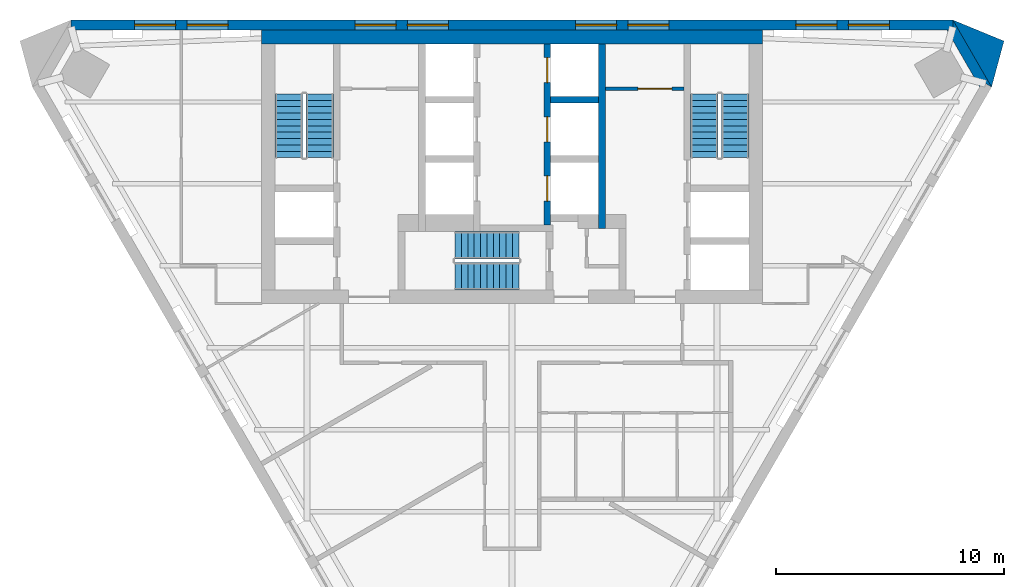
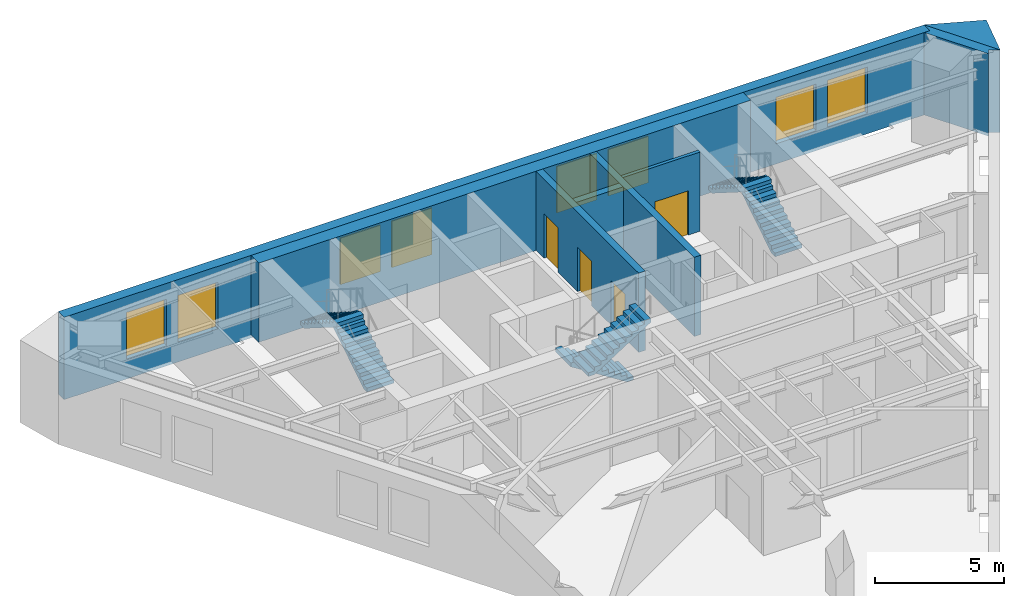
# One storey, part 5 of 7: 8 walls, 8 windows, 6 stair flights, 4 doors, 12 openings, 3 elements without a shape of their own.
"""IFC4 building model written with IfcOpenShell, lengths in metres."""

from ifc_helpers import new_model, si_unit, direction, frame, frame_2d, origin, place, context, subcontext, project, spatial, polyline, rectangle, outline, extrude, material, layer, layer_set, type_object, element, fill, aggregate, save


model = new_model("IFC4")

# Units and contexts
model_context = context("Model", 3, precision=1e-05, world=origin(), true_north=direction((0.0, 1.0)))
body_context = subcontext(model_context, "Body", "Model", "MODEL_VIEW")
ifc_project = project(units=[si_unit("LENGTHUNIT", "METRE"), si_unit("AREAUNIT", "SQUARE_METRE"), si_unit("VOLUMEUNIT", "CUBIC_METRE"), si_unit("PLANEANGLEUNIT", "RADIAN"), si_unit("MASSUNIT", "GRAM", prefix="KILO")], contexts=[model_context])

# Site, building, storey
site_placement = place(None, origin())
site = spatial("IfcSite", under=ifc_project, at=site_placement, CompositionType="ELEMENT")
building_placement = place(site_placement, origin())
building = spatial("IfcBuilding", under=site, at=building_placement, Name="Aloe Facet Convention Tower", CompositionType="ELEMENT")
storey_placement = place(building_placement, frame((0.0, 0.0, 207.5)))
storey = spatial("IfcBuildingStorey", under=building, at=storey_placement, Name="L52", CompositionType="ELEMENT", Elevation=207.5)

# Wall, opening, door
ifc_material_1 = material(Name="Concrete blockwork partition", Category="masonry")
ifc_layer_1 = layer(ifc_material_1, 0.14990234375)
ifc_layer_set_1 = layer_set([ifc_layer_1], Name="CR-W-PART150")
wall_type_1 = type_object("IfcWallType", Name="CR-W-PART150", PredefinedType="PARTITIONING", material=ifc_layer_set_1)
wall_1_placement = place(storey_placement, frame((84.10009765625, 131.97509765625, 0.0), z_axis=(0.0, 0.0, 1.0), x_axis=(1.0, 0.0, 0.0)))
wall_1 = element("IfcWall", 1, at=wall_1_placement, inside=storey, type_object=wall_type_1, Name="Core partition L52-025", PredefinedType="PARTITIONING", context=body_context, shape_type="SweptSolid", body=[
    extrude(rectangle(XDim=3.449951171875, YDim=0.14990234375, at=frame_2d((1.72509765625, 0.0))), origin(), (0.0, 0.0, 1.0), 3.75),
])
opening_1_placement = place(wall_1_placement, frame((1.425048828125, 0.0, 0.0)))
opening_1 = element("IfcOpeningElement", 2, at=opening_1_placement, cuts=wall_1, Name="Opening L52-CD13", PredefinedType="OPENING", context=body_context, shape_type="SweptSolid", body=[
    extrude(rectangle(XDim=1.5, YDim=2.10009765625, at=frame_2d((0.75, 1.050048828125))), frame((0.0, 0.0849609375, 0.0), z_axis=(0.0, -1.0, 0.0), x_axis=(1.0, 0.0, 0.0)), (0.0, 0.0, 1.0), 0.169921875),
])
ifc_material_2 = material(Name="Steel fire-resisting door set FD60", Category="steel")
door_type_1 = type_object("IfcDoorType", Name="CR-D-REFUGE-1500-FD60-DD", OperationType="DOUBLE_DOOR_DOUBLE_SWING", PredefinedType="DOOR", material=ifc_material_2)
door_1_placement = place(opening_1_placement, origin())
door_1 = element("IfcDoor", 3, at=door_1_placement, inside=storey, type_object=door_type_1, Name="Core door L52-CD13", OperationType="DOUBLE_DOOR_DOUBLE_SWING", OverallHeight=2.10009765625, OverallWidth=1.5, PredefinedType="DOOR", context=body_context, shape_type="SweptSolid", body=[
    extrude(rectangle(XDim=1.5, YDim=2.10009765625, at=frame_2d((0.75, 1.050048828125))), frame((0.0, 0.02490234375, 0.0), z_axis=(0.0, -1.0, 0.0), x_axis=(1.0, 0.0, 0.0)), (0.0, 0.0, 1.0), 0.050048828125),
])
fill(opening_1, door_1)

# Wall, openings, doors
ifc_material_3 = material(Name="Concrete C50/60", Category="concrete")
ifc_layer_2 = layer(ifc_material_3, 0.300048828125)
ifc_layer_set_2 = layer_set([ifc_layer_2], Name="CR-W-RC300-C5060")
wall_type_2 = type_object("IfcWallType", Name="CR-W-RC300-C5060", PredefinedType="SOLIDWALL", material=ifc_layer_set_2)
wall_2_placement = place(storey_placement, frame((81.550048828125, 133.949951171875, 0.0), z_axis=(0.0, 0.0, 1.0), x_axis=(0.0, -1.0, 0.0)))
wall_2 = element("IfcWall", 4, at=wall_2_placement, inside=storey, type_object=wall_type_2, Name="Core wall L52-016", PredefinedType="SOLIDWALL", context=body_context, shape_type="SweptSolid", body=[
    extrude(rectangle(XDim=7.949951171875, YDim=0.300048828125, at=frame_2d((3.97509765625, 0.0))), origin(), (0.0, 0.0, 1.0), 3.75),
])
opening_2_placement = place(wall_2_placement, frame((0.60009765625, 0.0, 0.0)))
opening_2 = element("IfcOpeningElement", 5, at=opening_2_placement, cuts=wall_2, Name="Opening LD-B4-L52", PredefinedType="OPENING", context=body_context, shape_type="SweptSolid", body=[
    extrude(rectangle(XDim=1.10009765625, YDim=2.10009765625, at=frame_2d((0.550048828125, 1.050048828125))), frame((0.0, 0.16015625, 0.0), z_axis=(0.0, -1.0, 0.0), x_axis=(1.0, 0.0, 0.0)), (0.0, 0.0, 1.0), 0.320068359375),
])
opening_3_placement = place(wall_2_placement, frame((3.199951171875, 0.0, 0.0)))
opening_3 = element("IfcOpeningElement", 6, at=opening_3_placement, cuts=wall_2, Name="Opening LD-B5-L52", PredefinedType="OPENING", context=body_context, shape_type="SweptSolid", body=[
    extrude(rectangle(XDim=1.10009765625, YDim=2.10009765625, at=frame_2d((0.550048828125, 1.050048828125))), frame((0.0, 0.16015625, 0.0), z_axis=(0.0, -1.0, 0.0), x_axis=(1.0, 0.0, 0.0)), (0.0, 0.0, 1.0), 0.320068359375),
])
opening_4_placement = place(wall_2_placement, frame((5.800048828125, 0.0, 0.0)))
opening_4 = element("IfcOpeningElement", 7, at=opening_4_placement, cuts=wall_2, Name="Opening LD-B6-L52", PredefinedType="OPENING", context=body_context, shape_type="SweptSolid", body=[
    extrude(rectangle(XDim=1.10009765625, YDim=2.10009765625, at=frame_2d((0.550048828125, 1.050048828125))), frame((0.0, 0.16015625, 0.0), z_axis=(0.0, -1.0, 0.0), x_axis=(1.0, 0.0, 0.0)), (0.0, 0.0, 1.0), 0.320068359375),
])
ifc_material_4 = material(Name="Stainless steel sliding landing door", Category="steel")
door_type_2 = type_object("IfcDoorType", Name="CR-LD-1100-FD60-_LEFT", OperationType="SLIDING_TO_LEFT", PredefinedType="DOOR", material=ifc_material_4)
door_2_placement = place(opening_2_placement, origin())
door_2 = element("IfcDoor", 8, at=door_2_placement, inside=storey, type_object=door_type_2, Name="Landing door B4 L52", OperationType="SLIDING_TO_LEFT", OverallHeight=2.10009765625, OverallWidth=1.10009765625, PredefinedType="DOOR", context=body_context, shape_type="SweptSolid", body=[
    extrude(rectangle(XDim=1.10009765625, YDim=2.10009765625, at=frame_2d((0.550048828125, 1.050048828125))), frame((0.0, 0.02490234375, 0.0), z_axis=(0.0, -1.0, 0.0), x_axis=(1.0, 0.0, 0.0)), (0.0, 0.0, 1.0), 0.050048828125),
])
fill(opening_2, door_2)
door_3_placement = place(opening_3_placement, origin())
door_3 = element("IfcDoor", 9, at=door_3_placement, inside=storey, type_object=door_type_2, Name="Landing door B5 L52", OperationType="SLIDING_TO_LEFT", OverallHeight=2.10009765625, OverallWidth=1.10009765625, PredefinedType="DOOR", context=body_context, shape_type="SweptSolid", body=[
    extrude(rectangle(XDim=1.10009765625, YDim=2.10009765625, at=frame_2d((0.550048828125, 1.050048828125))), frame((0.0, 0.02490234375, 0.0), z_axis=(0.0, -1.0, 0.0), x_axis=(1.0, 0.0, 0.0)), (0.0, 0.0, 1.0), 0.050048828125),
])
fill(opening_3, door_3)
door_4_placement = place(opening_4_placement, origin())
door_4 = element("IfcDoor", 10, at=door_4_placement, inside=storey, type_object=door_type_2, Name="Landing door B6 L52", OperationType="SLIDING_TO_LEFT", OverallHeight=2.10009765625, OverallWidth=1.10009765625, PredefinedType="DOOR", context=body_context, shape_type="SweptSolid", body=[
    extrude(rectangle(XDim=1.10009765625, YDim=2.10009765625, at=frame_2d((0.550048828125, 1.050048828125))), frame((0.0, 0.02490234375, 0.0), z_axis=(0.0, -1.0, 0.0), x_axis=(1.0, 0.0, 0.0)), (0.0, 0.0, 1.0), 0.050048828125),
])
fill(opening_4, door_4)

# Walls
wall_3_placement = place(storey_placement, frame((81.699951171875, 131.5, 0.0), z_axis=(0.0, 0.0, 1.0), x_axis=(1.0, 0.0, 0.0)))
element("IfcWall", 11, at=wall_3_placement, inside=storey, type_object=wall_type_2, Name="Core wall L52-018", PredefinedType="SOLIDWALL", context=body_context, shape_type="SweptSolid", body=[
    extrude(rectangle(XDim=2.10009765625, YDim=0.300048828125, at=frame_2d((1.050048828125, 0.0))), origin(), (0.0, 0.0, 1.0), 3.75),
])
wall_4_placement = place(storey_placement, frame((83.949951171875, 133.949951171875, 0.0), z_axis=(0.0, 0.0, 1.0), x_axis=(0.0, -1.0, 0.0)))
element("IfcWall", 12, at=wall_4_placement, inside=storey, type_object=wall_type_2, Name="Core wall L52-024", PredefinedType="SOLIDWALL", context=body_context, shape_type="SweptSolid", body=[
    extrude(rectangle(XDim=8.099853515625, YDim=0.300048828125, at=frame_2d((4.0498046875, 0.0))), origin(), (0.0, 0.0, 1.0), 3.75),
])
ifc_material_5 = material(Name="Concrete C50/60", Category="concrete")
ifc_layer_3 = layer(ifc_material_5, 0.60009765625)
ifc_layer_set_3 = layer_set([ifc_layer_3], Name="CR-W-RC600-C5060")
wall_type_3 = type_object("IfcWallType", Name="CR-W-RC600-C5060", PredefinedType="SOLIDWALL", material=ifc_layer_set_3)
wall_5_placement = place(storey_placement, frame((69.0, 134.25, 0.0), z_axis=(0.0, 0.0, 1.0), x_axis=(1.0, 0.0, 0.0)))
element("IfcWall", 13, at=wall_5_placement, inside=storey, type_object=wall_type_3, Name="Core wall L52-001", PredefinedType="SOLIDWALL", context=body_context, shape_type="SweptSolid", body=[
    extrude(rectangle(XDim=22.0, YDim=0.60009765625, at=frame_2d((11.0, 0.0))), origin(), (0.0, 0.0, 1.0), 3.75),
])
ifc_material_6 = material(Name="Precast concrete C40/50", Category="concrete")
ifc_layer_4 = layer(ifc_material_6, 0.449951171875)
ifc_layer_set_4 = layer_set([ifc_layer_4], Name="EV-WALL-PIER")
wall_type_4 = type_object("IfcWallType", Name="EV-WALL-PIER", PredefinedType="SOLIDWALL", material=ifc_layer_set_4)
wall_6_placement = place(storey_placement, frame((0.0, 0.0, -0.14990234375)))
element("IfcWall", 14, at=wall_6_placement, inside=storey, type_object=wall_type_4, Name="EP-L52-C", PredefinedType="SOLIDWALL", context=body_context, shape_type="SweptSolid", body=[
    extrude(outline(polyline([(101.064697265625, 132.055419921875), (100.6748046875, 132.280517578125), (100.544921875, 132.055419921875), (99.104736328125, 134.550048828125), (99.364501953125, 134.550048828125), (99.364501953125, 135.0), (101.064697265625, 132.055419921875)])), origin(), (0.0, 0.0, 1.0), 3.89990234375),
])
ifc_material_7 = material(Name="Precast concrete C40/50", Category="concrete")
ifc_layer_5 = layer(ifc_material_7, 3.947998046875)
ifc_layer_set_5 = layer_set([ifc_layer_5], Name="EV-WALL-SPINE")
wall_type_5 = type_object("IfcWallType", Name="EV-WALL-SPINE", PredefinedType="SOLIDWALL", material=ifc_layer_set_5)
wall_7_placement = place(storey_placement, frame((0.0, 0.0, -0.14990234375)))
element("IfcWall", 15, at=wall_7_placement, inside=storey, type_object=wall_type_5, Name="SP-NE-L52", PredefinedType="SOLIDWALL", context=body_context, shape_type="SweptSolid", body=[
    extrude(outline(polyline([(101.064697265625, 132.055419921875), (101.610107421875, 134.076171875), (99.364501953125, 135.0), (101.064697265625, 132.055419921875)])), origin(), (0.0, 0.0, 1.0), 3.89990234375),
])

# Wall, openings, windows
ifc_material_8 = material(Name="Precast concrete C40/50", Category="concrete")
ifc_layer_6 = layer(ifc_material_8, 0.449951171875)
ifc_layer_set_6 = layer_set([ifc_layer_6], Name="EV-WALL-STONE")
wall_type_6 = type_object("IfcWallType", Name="EV-WALL-STONE", PredefinedType="SOLIDWALL", material=ifc_layer_set_6)
wall_8_placement = place(storey_placement, frame((99.364501953125, 134.77490234375, -0.14990234375), z_axis=(0.0, 0.0, 1.0), x_axis=(-1.0, 0.0, 0.0)))
wall_8 = element("IfcWall", 16, at=wall_8_placement, inside=storey, type_object=wall_type_6, Name="EW-L52-N01", PredefinedType="SOLIDWALL", context=body_context, shape_type="SweptSolid", body=[
    extrude(outline(polyline([(38.729248046875, 0.0), (38.729248046875, 3.89990234375), (0.0, 3.89990234375), (0.0, 0.0), (38.729248046875, 0.0)])), frame((0.0, 0.22509765625, 0.0), z_axis=(0.0, -1.0, 0.0), x_axis=(1.0, 0.0, 0.0)), (0.0, 0.0, 1.0), 0.449951171875),
])
opening_5_placement = place(wall_8_placement, frame((2.791259765625, 0.0, 0.949951171875)))
opening_5 = element("IfcOpeningElement", 17, at=opening_5_placement, cuts=wall_8, Name="Opening W-L52-N01", PredefinedType="OPENING", context=body_context, shape_type="SweptSolid", body=[
    extrude(rectangle(XDim=1.800048828125, YDim=2.199951171875, at=frame_2d((0.89990234375, 1.10009765625))), frame((0.0, 0.23486328125, 0.0), z_axis=(0.0, -1.0, 0.0), x_axis=(1.0, 0.0, 0.0)), (0.0, 0.0, 1.0), 0.469970703125),
])
opening_6_placement = place(wall_8_placement, frame((5.091064453125, 0.0, 0.949951171875)))
opening_6 = element("IfcOpeningElement", 18, at=opening_6_placement, cuts=wall_8, Name="Opening W-L52-N02", PredefinedType="OPENING", context=body_context, shape_type="SweptSolid", body=[
    extrude(rectangle(XDim=1.800048828125, YDim=2.199951171875, at=frame_2d((0.89990234375, 1.10009765625))), frame((0.0, 0.23486328125, 0.0), z_axis=(0.0, -1.0, 0.0), x_axis=(1.0, 0.0, 0.0)), (0.0, 0.0, 1.0), 0.469970703125),
])
opening_7_placement = place(wall_8_placement, frame((12.473388671875, 0.0, 0.949951171875)))
opening_7 = element("IfcOpeningElement", 19, at=opening_7_placement, cuts=wall_8, Name="Opening W-L52-N03", PredefinedType="OPENING", context=body_context, shape_type="SweptSolid", body=[
    extrude(rectangle(XDim=1.800048828125, YDim=2.199951171875, at=frame_2d((0.89990234375, 1.10009765625))), frame((0.0, 0.23486328125, 0.0), z_axis=(0.0, -1.0, 0.0), x_axis=(1.0, 0.0, 0.0)), (0.0, 0.0, 1.0), 0.469970703125),
])
opening_8_placement = place(wall_8_placement, frame((14.7734375, 0.0, 0.949951171875)))
opening_8 = element("IfcOpeningElement", 20, at=opening_8_placement, cuts=wall_8, Name="Opening W-L52-N04", PredefinedType="OPENING", context=body_context, shape_type="SweptSolid", body=[
    extrude(rectangle(XDim=1.800048828125, YDim=2.199951171875, at=frame_2d((0.89990234375, 1.10009765625))), frame((0.0, 0.23486328125, 0.0), z_axis=(0.0, -1.0, 0.0), x_axis=(1.0, 0.0, 0.0)), (0.0, 0.0, 1.0), 0.469970703125),
])
opening_9_placement = place(wall_8_placement, frame((22.15576171875, 0.0, 0.949951171875)))
opening_9 = element("IfcOpeningElement", 21, at=opening_9_placement, cuts=wall_8, Name="Opening W-L52-N05", PredefinedType="OPENING", context=body_context, shape_type="SweptSolid", body=[
    extrude(rectangle(XDim=1.800048828125, YDim=2.199951171875, at=frame_2d((0.89990234375, 1.10009765625))), frame((0.0, 0.23486328125, 0.0), z_axis=(0.0, -1.0, 0.0), x_axis=(1.0, 0.0, 0.0)), (0.0, 0.0, 1.0), 0.469970703125),
])
opening_10_placement = place(wall_8_placement, frame((24.455810546875, 0.0, 0.949951171875)))
opening_10 = element("IfcOpeningElement", 22, at=opening_10_placement, cuts=wall_8, Name="Opening W-L52-N06", PredefinedType="OPENING", context=body_context, shape_type="SweptSolid", body=[
    extrude(rectangle(XDim=1.800048828125, YDim=2.199951171875, at=frame_2d((0.89990234375, 1.10009765625))), frame((0.0, 0.23486328125, 0.0), z_axis=(0.0, -1.0, 0.0), x_axis=(1.0, 0.0, 0.0)), (0.0, 0.0, 1.0), 0.469970703125),
])
opening_11_placement = place(wall_8_placement, frame((31.838134765625, 0.0, 0.949951171875)))
opening_11 = element("IfcOpeningElement", 23, at=opening_11_placement, cuts=wall_8, Name="Opening W-L52-N07", PredefinedType="OPENING", context=body_context, shape_type="SweptSolid", body=[
    extrude(rectangle(XDim=1.800048828125, YDim=2.199951171875, at=frame_2d((0.89990234375, 1.10009765625))), frame((0.0, 0.23486328125, 0.0), z_axis=(0.0, -1.0, 0.0), x_axis=(1.0, 0.0, 0.0)), (0.0, 0.0, 1.0), 0.469970703125),
])
opening_12_placement = place(wall_8_placement, frame((34.13818359375, 0.0, 0.949951171875)))
opening_12 = element("IfcOpeningElement", 24, at=opening_12_placement, cuts=wall_8, Name="Opening W-L52-N08", PredefinedType="OPENING", context=body_context, shape_type="SweptSolid", body=[
    extrude(rectangle(XDim=1.800048828125, YDim=2.199951171875, at=frame_2d((0.89990234375, 1.10009765625))), frame((0.0, 0.23486328125, 0.0), z_axis=(0.0, -1.0, 0.0), x_axis=(1.0, 0.0, 0.0)), (0.0, 0.0, 1.0), 0.469970703125),
])
ifc_material_9 = material(Name="Aluminium frame, clear double glazing", Category="aluminium")
window_type = type_object("IfcWindowType", Name="EV-WIN-O18", PartitioningType="SINGLE_PANEL", PredefinedType="WINDOW", material=ifc_material_9)
window_1_placement = place(opening_5_placement, origin())
window_1 = element("IfcWindow", 25, at=window_1_placement, inside=storey, type_object=window_type, Name="W-L52-N01", OverallHeight=2.199951171875, OverallWidth=1.800048828125, PartitioningType="SINGLE_PANEL", PredefinedType="WINDOW", context=body_context, shape_type="SweptSolid", body=[
    extrude(rectangle(XDim=1.800048828125, YDim=2.199951171875, at=frame_2d((0.89990234375, 1.10009765625))), frame((0.0, 0.030029296875, 0.0), z_axis=(0.0, -1.0, 0.0), x_axis=(1.0, 0.0, 0.0)), (0.0, 0.0, 1.0), 0.06005859375),
])
fill(opening_5, window_1)
window_2_placement = place(opening_6_placement, origin())
window_2 = element("IfcWindow", 26, at=window_2_placement, inside=storey, type_object=window_type, Name="W-L52-N02", OverallHeight=2.199951171875, OverallWidth=1.800048828125, PartitioningType="SINGLE_PANEL", PredefinedType="WINDOW", context=body_context, shape_type="SweptSolid", body=[
    extrude(rectangle(XDim=1.800048828125, YDim=2.199951171875, at=frame_2d((0.89990234375, 1.10009765625))), frame((0.0, 0.030029296875, 0.0), z_axis=(0.0, -1.0, 0.0), x_axis=(1.0, 0.0, 0.0)), (0.0, 0.0, 1.0), 0.06005859375),
])
fill(opening_6, window_2)
window_3_placement = place(opening_7_placement, origin())
window_3 = element("IfcWindow", 27, at=window_3_placement, inside=storey, type_object=window_type, Name="W-L52-N03", OverallHeight=2.199951171875, OverallWidth=1.800048828125, PartitioningType="SINGLE_PANEL", PredefinedType="WINDOW", context=body_context, shape_type="SweptSolid", body=[
    extrude(rectangle(XDim=1.800048828125, YDim=2.199951171875, at=frame_2d((0.89990234375, 1.10009765625))), frame((0.0, 0.030029296875, 0.0), z_axis=(0.0, -1.0, 0.0), x_axis=(1.0, 0.0, 0.0)), (0.0, 0.0, 1.0), 0.06005859375),
])
fill(opening_7, window_3)
window_4_placement = place(opening_8_placement, origin())
window_4 = element("IfcWindow", 28, at=window_4_placement, inside=storey, type_object=window_type, Name="W-L52-N04", OverallHeight=2.199951171875, OverallWidth=1.800048828125, PartitioningType="SINGLE_PANEL", PredefinedType="WINDOW", context=body_context, shape_type="SweptSolid", body=[
    extrude(rectangle(XDim=1.800048828125, YDim=2.199951171875, at=frame_2d((0.89990234375, 1.10009765625))), frame((0.0, 0.030029296875, 0.0), z_axis=(0.0, -1.0, 0.0), x_axis=(1.0, 0.0, 0.0)), (0.0, 0.0, 1.0), 0.06005859375),
])
fill(opening_8, window_4)
window_5_placement = place(opening_9_placement, origin())
window_5 = element("IfcWindow", 29, at=window_5_placement, inside=storey, type_object=window_type, Name="W-L52-N05", OverallHeight=2.199951171875, OverallWidth=1.800048828125, PartitioningType="SINGLE_PANEL", PredefinedType="WINDOW", context=body_context, shape_type="SweptSolid", body=[
    extrude(rectangle(XDim=1.800048828125, YDim=2.199951171875, at=frame_2d((0.89990234375, 1.10009765625))), frame((0.0, 0.030029296875, 0.0), z_axis=(0.0, -1.0, 0.0), x_axis=(1.0, 0.0, 0.0)), (0.0, 0.0, 1.0), 0.06005859375),
])
fill(opening_9, window_5)
window_6_placement = place(opening_10_placement, origin())
window_6 = element("IfcWindow", 30, at=window_6_placement, inside=storey, type_object=window_type, Name="W-L52-N06", OverallHeight=2.199951171875, OverallWidth=1.800048828125, PartitioningType="SINGLE_PANEL", PredefinedType="WINDOW", context=body_context, shape_type="SweptSolid", body=[
    extrude(rectangle(XDim=1.800048828125, YDim=2.199951171875, at=frame_2d((0.89990234375, 1.10009765625))), frame((0.0, 0.030029296875, 0.0), z_axis=(0.0, -1.0, 0.0), x_axis=(1.0, 0.0, 0.0)), (0.0, 0.0, 1.0), 0.06005859375),
])
fill(opening_10, window_6)
window_7_placement = place(opening_11_placement, origin())
window_7 = element("IfcWindow", 31, at=window_7_placement, inside=storey, type_object=window_type, Name="W-L52-N07", OverallHeight=2.199951171875, OverallWidth=1.800048828125, PartitioningType="SINGLE_PANEL", PredefinedType="WINDOW", context=body_context, shape_type="SweptSolid", body=[
    extrude(rectangle(XDim=1.800048828125, YDim=2.199951171875, at=frame_2d((0.89990234375, 1.10009765625))), frame((0.0, 0.030029296875, 0.0), z_axis=(0.0, -1.0, 0.0), x_axis=(1.0, 0.0, 0.0)), (0.0, 0.0, 1.0), 0.06005859375),
])
fill(opening_11, window_7)
window_8_placement = place(opening_12_placement, origin())
window_8 = element("IfcWindow", 32, at=window_8_placement, inside=storey, type_object=window_type, Name="W-L52-N08", OverallHeight=2.199951171875, OverallWidth=1.800048828125, PartitioningType="SINGLE_PANEL", PredefinedType="WINDOW", context=body_context, shape_type="SweptSolid", body=[
    extrude(rectangle(XDim=1.800048828125, YDim=2.199951171875, at=frame_2d((0.89990234375, 1.10009765625))), frame((0.0, 0.030029296875, 0.0), z_axis=(0.0, -1.0, 0.0), x_axis=(1.0, 0.0, 0.0)), (0.0, 0.0, 1.0), 0.06005859375),
])
fill(opening_12, window_8)

# Stair, stair flights
ifc_material_10 = material(Name="Concrete C50/60", Category="concrete")
stair_type = type_object("IfcStairType", Name="CR-ST-22R", PredefinedType="HALF_TURN_STAIR", material=ifc_material_10)
stair_1_placement = place(storey_placement, origin())
stair_1 = element("IfcStair", 33, at=stair_1_placement, inside=storey, type_object=stair_type, Name="L52 Protected exit stair ST1", PredefinedType="HALF_TURN_STAIR")
ifc_material_11 = material(Name="Concrete C50/60", Category="concrete")
stair_flight_type = type_object("IfcStairFlightType", Name="CR-SFL-22R", PredefinedType="STRAIGHT", material=ifc_material_11)
stair_flight_1_placement = place(storey_placement, frame((71.550048828125, 128.949951171875, 0.0), z_axis=(0.0, 0.0, 1.0), x_axis=(0.0, 1.0, 0.0)))
stair_flight_1 = element("IfcStairFlight", 34, at=stair_flight_1_placement, type_object=stair_flight_type, Name="ST1 flight 1", NumberOfRisers=11, NumberOfTreads=10, PredefinedType="STRAIGHT", RiserHeight=0.177272727, TreadLength=0.28, context=body_context, shape_type="SweptSolid", body=[
    extrude(outline(polyline([(0.0, 0.0), (0.0, 0.17724609375), (0.280029296875, 0.17724609375), (0.280029296875, 0.3544921875), (0.56005859375, 0.3544921875), (0.56005859375, 0.53173828125), (0.840087890625, 0.53173828125), (0.840087890625, 0.708984375), (1.1201171875, 0.708984375), (1.1201171875, 0.886474609375), (1.39990234375, 0.886474609375), (1.39990234375, 1.063720703125), (1.679931640625, 1.063720703125), (1.679931640625, 1.240966796875), (1.9599609375, 1.240966796875), (1.9599609375, 1.418212890625), (2.239990234375, 1.418212890625), (2.239990234375, 1.595458984375), (2.52001953125, 1.595458984375), (2.52001953125, 1.772705078125), (2.800048828125, 1.772705078125), (2.800048828125, 1.949951171875), (2.800048828125, 1.59521484375), (0.2802734375, 0.0), (0.0, 0.0)])), frame((0.0, 0.60009765625, 0.0), z_axis=(0.0, -1.0, 0.0), x_axis=(1.0, 0.0, 0.0)), (0.0, 0.0, 1.0), 1.199951171875),
])
stair_flight_2_placement = place(storey_placement, frame((70.199951171875, 131.75, 1.949951171875), z_axis=(0.0, 0.0, 1.0), x_axis=(0.0, -1.0, 0.0)))
stair_flight_2 = element("IfcStairFlight", 35, at=stair_flight_2_placement, type_object=stair_flight_type, Name="ST1 flight 2", NumberOfRisers=11, NumberOfTreads=10, PredefinedType="STRAIGHT", RiserHeight=0.177272727, TreadLength=0.28, context=body_context, shape_type="SweptSolid", body=[
    extrude(outline(polyline([(0.0, 0.0), (0.0, 0.17724609375), (0.280029296875, 0.17724609375), (0.280029296875, 0.3544921875), (0.56005859375, 0.3544921875), (0.56005859375, 0.53173828125), (0.840087890625, 0.53173828125), (0.840087890625, 0.708984375), (1.1201171875, 0.708984375), (1.1201171875, 0.886474609375), (1.39990234375, 0.886474609375), (1.39990234375, 1.063720703125), (1.679931640625, 1.063720703125), (1.679931640625, 1.240966796875), (1.9599609375, 1.240966796875), (1.9599609375, 1.418212890625), (2.239990234375, 1.418212890625), (2.239990234375, 1.595458984375), (2.52001953125, 1.595458984375), (2.52001953125, 1.772705078125), (2.800048828125, 1.772705078125), (2.800048828125, 1.949951171875), (2.800048828125, 1.59521484375), (0.2802734375, 0.0), (0.0, 0.0)])), frame((0.0, 0.60009765625, 0.0), z_axis=(0.0, -1.0, 0.0), x_axis=(1.0, 0.0, 0.0)), (0.0, 0.0, 1.0), 1.199951171875),
])
aggregate(stair_1, [stair_flight_1, stair_flight_2])

stair_2_placement = place(storey_placement, origin())
stair_2 = element("IfcStair", 36, at=stair_2_placement, inside=storey, type_object=stair_type, Name="L52 Protected exit stair ST2", PredefinedType="HALF_TURN_STAIR")
stair_flight_3_placement = place(storey_placement, frame((89.800048828125, 128.949951171875, 0.0), z_axis=(0.0, 0.0, 1.0), x_axis=(0.0, 1.0, 0.0)))
stair_flight_3 = element("IfcStairFlight", 37, at=stair_flight_3_placement, type_object=stair_flight_type, Name="ST2 flight 1", NumberOfRisers=11, NumberOfTreads=10, PredefinedType="STRAIGHT", RiserHeight=0.177272727, TreadLength=0.28, context=body_context, shape_type="SweptSolid", body=[
    extrude(outline(polyline([(0.0, 0.0), (0.0, 0.17724609375), (0.280029296875, 0.17724609375), (0.280029296875, 0.3544921875), (0.56005859375, 0.3544921875), (0.56005859375, 0.53173828125), (0.840087890625, 0.53173828125), (0.840087890625, 0.708984375), (1.1201171875, 0.708984375), (1.1201171875, 0.886474609375), (1.39990234375, 0.886474609375), (1.39990234375, 1.063720703125), (1.679931640625, 1.063720703125), (1.679931640625, 1.240966796875), (1.9599609375, 1.240966796875), (1.9599609375, 1.418212890625), (2.239990234375, 1.418212890625), (2.239990234375, 1.595458984375), (2.52001953125, 1.595458984375), (2.52001953125, 1.772705078125), (2.800048828125, 1.772705078125), (2.800048828125, 1.949951171875), (2.800048828125, 1.59521484375), (0.2802734375, 0.0), (0.0, 0.0)])), frame((0.0, 0.60009765625, 0.0), z_axis=(0.0, -1.0, 0.0), x_axis=(1.0, 0.0, 0.0)), (0.0, 0.0, 1.0), 1.199951171875),
])
stair_flight_4_placement = place(storey_placement, frame((88.449951171875, 131.75, 1.949951171875), z_axis=(0.0, 0.0, 1.0), x_axis=(0.0, -1.0, 0.0)))
stair_flight_4 = element("IfcStairFlight", 38, at=stair_flight_4_placement, type_object=stair_flight_type, Name="ST2 flight 2", NumberOfRisers=11, NumberOfTreads=10, PredefinedType="STRAIGHT", RiserHeight=0.177272727, TreadLength=0.28, context=body_context, shape_type="SweptSolid", body=[
    extrude(outline(polyline([(0.0, 0.0), (0.0, 0.17724609375), (0.280029296875, 0.17724609375), (0.280029296875, 0.3544921875), (0.56005859375, 0.3544921875), (0.56005859375, 0.53173828125), (0.840087890625, 0.53173828125), (0.840087890625, 0.708984375), (1.1201171875, 0.708984375), (1.1201171875, 0.886474609375), (1.39990234375, 0.886474609375), (1.39990234375, 1.063720703125), (1.679931640625, 1.063720703125), (1.679931640625, 1.240966796875), (1.9599609375, 1.240966796875), (1.9599609375, 1.418212890625), (2.239990234375, 1.418212890625), (2.239990234375, 1.595458984375), (2.52001953125, 1.595458984375), (2.52001953125, 1.772705078125), (2.800048828125, 1.772705078125), (2.800048828125, 1.949951171875), (2.800048828125, 1.59521484375), (0.2802734375, 0.0), (0.0, 0.0)])), frame((0.0, 0.60009765625, 0.0), z_axis=(0.0, -1.0, 0.0), x_axis=(1.0, 0.0, 0.0)), (0.0, 0.0, 1.0), 1.199951171875),
])
aggregate(stair_2, [stair_flight_3, stair_flight_4])

stair_3_placement = place(storey_placement, origin())
stair_3 = element("IfcStair", 39, at=stair_3_placement, inside=storey, type_object=stair_type, Name="L52 Protected exit stair ST3", PredefinedType="HALF_TURN_STAIR")
stair_flight_5_placement = place(storey_placement, frame((80.300048828125, 125.10009765625, 0.0), z_axis=(0.0, 0.0, 1.0), x_axis=(-1.0, 0.0, 0.0)))
stair_flight_5 = element("IfcStairFlight", 40, at=stair_flight_5_placement, type_object=stair_flight_type, Name="ST3 flight 1", NumberOfRisers=11, NumberOfTreads=10, PredefinedType="STRAIGHT", RiserHeight=0.177272727, TreadLength=0.28, context=body_context, shape_type="SweptSolid", body=[
    extrude(outline(polyline([(0.0, 0.0), (0.0, 0.17724609375), (0.280029296875, 0.17724609375), (0.280029296875, 0.3544921875), (0.56005859375, 0.3544921875), (0.56005859375, 0.53173828125), (0.840087890625, 0.53173828125), (0.840087890625, 0.708984375), (1.1201171875, 0.708984375), (1.1201171875, 0.886474609375), (1.39990234375, 0.886474609375), (1.39990234375, 1.063720703125), (1.679931640625, 1.063720703125), (1.679931640625, 1.240966796875), (1.9599609375, 1.240966796875), (1.9599609375, 1.418212890625), (2.239990234375, 1.418212890625), (2.239990234375, 1.595458984375), (2.52001953125, 1.595458984375), (2.52001953125, 1.772705078125), (2.800048828125, 1.772705078125), (2.800048828125, 1.949951171875), (2.800048828125, 1.59521484375), (0.2802734375, 0.0), (0.0, 0.0)])), frame((0.0, 0.60009765625, 0.0), z_axis=(0.0, -1.0, 0.0), x_axis=(1.0, 0.0, 0.0)), (0.0, 0.0, 1.0), 1.199951171875),
])
stair_flight_6_placement = place(storey_placement, frame((77.5, 123.75, 1.949951171875), z_axis=(0.0, 0.0, 1.0), x_axis=(1.0, 0.0, 0.0)))
stair_flight_6 = element("IfcStairFlight", 41, at=stair_flight_6_placement, type_object=stair_flight_type, Name="ST3 flight 2", NumberOfRisers=11, NumberOfTreads=10, PredefinedType="STRAIGHT", RiserHeight=0.177272727, TreadLength=0.28, context=body_context, shape_type="SweptSolid", body=[
    extrude(outline(polyline([(0.0, 0.0), (0.0, 0.17724609375), (0.280029296875, 0.17724609375), (0.280029296875, 0.3544921875), (0.56005859375, 0.3544921875), (0.56005859375, 0.53173828125), (0.840087890625, 0.53173828125), (0.840087890625, 0.708984375), (1.1201171875, 0.708984375), (1.1201171875, 0.886474609375), (1.39990234375, 0.886474609375), (1.39990234375, 1.063720703125), (1.679931640625, 1.063720703125), (1.679931640625, 1.240966796875), (1.9599609375, 1.240966796875), (1.9599609375, 1.418212890625), (2.239990234375, 1.418212890625), (2.239990234375, 1.595458984375), (2.52001953125, 1.595458984375), (2.52001953125, 1.772705078125), (2.800048828125, 1.772705078125), (2.800048828125, 1.949951171875), (2.800048828125, 1.59521484375), (0.2802734375, 0.0), (0.0, 0.0)])), frame((0.0, 0.60009765625, 0.0), z_axis=(0.0, -1.0, 0.0), x_axis=(1.0, 0.0, 0.0)), (0.0, 0.0, 1.0), 1.199951171875),
])
aggregate(stair_3, [stair_flight_5, stair_flight_6])

save(model, "model.ifc")
